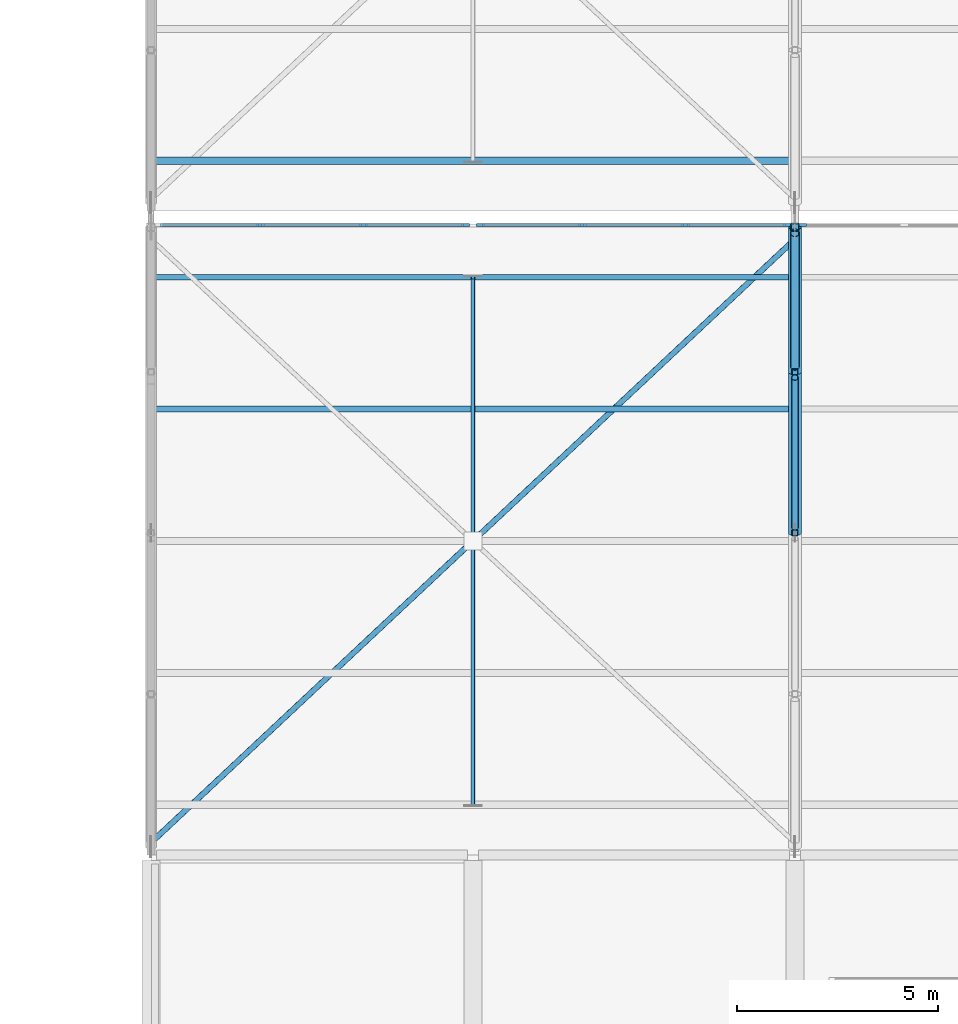
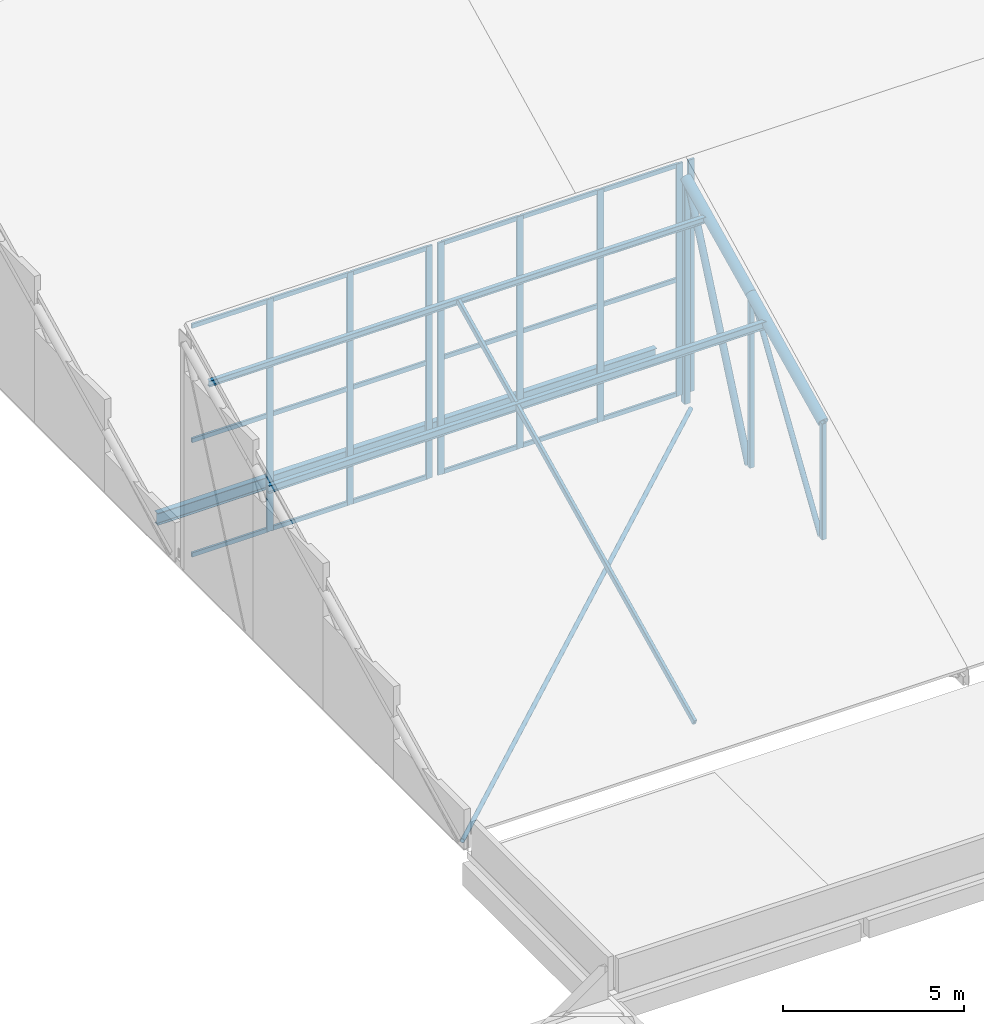
# One storey, part 42 of 137: 35 members, 3 beams, 3 elements without a shape of their own.
"""IFC4 building model written with IfcOpenShell, lengths in metres."""

from ifc_helpers import new_model, si_unit, direction, frame, origin, origin_2d, place, context, subcontext, project, spatial, rectangle, hollow_rectangle, hollow_circle, i_section, extrude, material, layer, layer_set, material_profile, profile_set, type_object, element, aggregate, save


model = new_model("IFC4")

# Units and contexts
model_context = context("Model", 3, precision=1e-05, world=origin(), true_north=direction((0.0, 1.0)))
body_context = subcontext(model_context, "Body", "Model", "MODEL_VIEW")
ifc_project = project(units=[si_unit("LENGTHUNIT", "METRE"), si_unit("AREAUNIT", "SQUARE_METRE"), si_unit("VOLUMEUNIT", "CUBIC_METRE"), si_unit("PLANEANGLEUNIT", "RADIAN"), si_unit("MASSUNIT", "GRAM", prefix="KILO")], contexts=[model_context])

# Site, building, storey
site_placement = place(None, origin())
site = spatial("IfcSite", under=ifc_project, at=site_placement, CompositionType="ELEMENT")
building_placement = place(site_placement, origin())
building = spatial("IfcBuilding", under=site, at=building_placement, Name="Jelvoka-Kovrelna Polytechnic", CompositionType="ELEMENT")
storey_placement = place(building_placement, frame((0.0, 0.0, 9.60009765625)))
storey = spatial("IfcBuildingStorey", under=building, at=storey_placement, Name="L03", CompositionType="ELEMENT", Elevation=9.60009765625)

# Members
ifc_material_1 = material(Name="Structural steel S355J2H", Category="steel")
ifc_material_profile_1 = material_profile(ifc_material_1, hollow_circle(Radius=0.06982421875, WallThickness=0.00634765625, at=origin_2d()), Name="139.7x6.3 CHS")
ifc_profile_set_1 = profile_set([ifc_material_profile_1], Name="Structural steel S355J2H")
member_type_1 = type_object("IfcMemberType", Name="Member_Brace_CHS140", PredefinedType="BRACE", material=ifc_profile_set_1)
member_1_placement = place(storey_placement, frame((88.050048828125, 88.35009765625, 0.14990234375), z_axis=(0.72968044266, 0.683788309055, 0.0), x_axis=(-0.683788309055, 0.72968044266, 0.0)))
element("IfcMember", 1, at=member_1_placement, inside=storey, type_object=member_type_1, Name="Sawtooth roof continuous X-brace 0202", PredefinedType="BRACE", context=body_context, shape_type="SweptSolid", body=[
    extrude(hollow_circle(Radius=0.06982421875, WallThickness=0.00634765625, at=origin_2d()), origin(), (0.0, 0.0, 1.0), 21.790283203125),
])
ifc_material_2 = material(Name="Structural steel S355J2H", Category="steel")
ifc_material_profile_2 = material_profile(ifc_material_2, hollow_circle(Radius=0.084228515625, WallThickness=0.008056640625, at=origin_2d()), Name="168.3x8.0 CHS")
ifc_profile_set_2 = profile_set([ifc_material_profile_2], Name="Structural steel S355J2H")
member_type_2 = type_object("IfcMemberType", Name="Member_Brace_CHS168", PredefinedType="BRACE", material=ifc_profile_set_2)
member_2_placement = place(storey_placement, frame((104.0, 96.139892578125, 0.14990234375), z_axis=(0.0, 0.5415746521, 0.840652660855), x_axis=(-1.0, 0.0, 0.0)))
element("IfcMember", 2, at=member_2_placement, inside=storey, type_object=member_type_2, Name="Sawtooth truss 2 diagonal web 1.3", PredefinedType="BRACE", context=body_context, shape_type="SweptSolid", body=[
    extrude(hollow_circle(Radius=0.084228515625, WallThickness=0.008056640625, at=origin_2d()), origin(), (0.0, 0.0, 1.0), 6.869140625),
])
ifc_material_3 = material(Name="Structural steel S355J2H", Category="steel")
ifc_material_profile_3 = material_profile(ifc_material_3, hollow_circle(Radius=0.109619140625, WallThickness=0.008056640625, at=origin_2d()), Name="219.1x8.0 CHS")
ifc_profile_set_3 = profile_set([ifc_material_profile_3], Name="Structural steel S355J2H")
member_type_3 = type_object("IfcMemberType", Name="Member_Brace_CHS219", PredefinedType="BRACE", material=ifc_profile_set_3)
member_3_placement = place(storey_placement, frame((104.0, 100.139892578125, 0.14990234375), z_axis=(0.0, 0.404336237521, 0.914610412705), x_axis=(-1.0, 0.0, 0.0)))
element("IfcMember", 3, at=member_3_placement, inside=storey, type_object=member_type_3, Name="Sawtooth truss 2 diagonal web 1.4", PredefinedType="BRACE", context=body_context, shape_type="SweptSolid", body=[
    extrude(hollow_circle(Radius=0.109619140625, WallThickness=0.008056640625, at=origin_2d()), origin(), (0.0, 0.0, 1.0), 8.211181640625),
])
ifc_material_4 = material(Name="Structural steel S355J2H", Category="steel")
ifc_material_profile_4 = material_profile(ifc_material_4, hollow_circle(Radius=0.161865234375, WallThickness=0.010009765625, at=origin_2d()), Name="323.9x10.0 CHS")
ifc_profile_set_4 = profile_set([ifc_material_profile_4], Name="Structural steel S355J2H")
member_type_4 = type_object("IfcMemberType", Name="Member_Chord_CHS324", PredefinedType="CHORD", material=ifc_profile_set_4)
member_4_placement = place(storey_placement, frame((104.0, 96.0, 4.076416015625), z_axis=(0.0, 0.900820911068, 0.434190840741), x_axis=(-1.0, 0.0, 0.0)))
element("IfcMember", 4, at=member_4_placement, inside=storey, type_object=member_type_4, Name="Sawtooth truss 2 top chord 1.3", PredefinedType="CHORD", context=body_context, shape_type="SweptSolid", body=[
    extrude(hollow_circle(Radius=0.161865234375, WallThickness=0.010009765625, at=origin_2d()), origin(), (0.0, 0.0, 1.0), 4.4404296875),
])
member_5_placement = place(storey_placement, frame((104.0, 100.0, 6.00439453125), z_axis=(0.0, 0.900784896778, 0.434265552095), x_axis=(-1.0, 0.0, 0.0)))
element("IfcMember", 5, at=member_5_placement, inside=storey, type_object=member_type_4, Name="Sawtooth truss 2 top chord 1.4", PredefinedType="CHORD", context=body_context, shape_type="SweptSolid", body=[
    extrude(hollow_circle(Radius=0.161865234375, WallThickness=0.010009765625, at=origin_2d()), origin(), (0.0, 0.0, 1.0), 3.99658203125),
])
ifc_material_5 = material(Name="Structural steel S355J2H", Category="steel")
ifc_material_profile_5 = material_profile(ifc_material_5, hollow_rectangle(XDim=0.14990234375, YDim=0.14990234375, WallThickness=0.008056640625, InnerFilletRadius=0.008056640625, OuterFilletRadius=0.011962890625, at=origin_2d()), Name="150x150x8.0 SHS")
ifc_profile_set_5 = profile_set([ifc_material_profile_5], Name="Structural steel S355J2H")
member_type_5 = type_object("IfcMemberType", Name="Member_Post_SHS150", PredefinedType="POST", material=ifc_profile_set_5)
member_6_placement = place(storey_placement, frame((104.0, 96.0, 0.14990234375), z_axis=(0.0, 0.0, 1.0), x_axis=(1.0, 0.0, 0.0)))
element("IfcMember", 6, at=member_6_placement, inside=storey, type_object=member_type_5, Name="Sawtooth truss 2 web post 1.3", PredefinedType="POST", context=body_context, shape_type="SweptSolid", body=[
    extrude(hollow_rectangle(XDim=0.14990234375, YDim=0.14990234375, WallThickness=0.008056640625, InnerFilletRadius=0.008056640625, OuterFilletRadius=0.011962890625, at=origin_2d()), origin(), (0.0, 0.0, 1.0), 3.926513671875),
])
member_7_placement = place(storey_placement, frame((104.0, 100.0, 0.14990234375), z_axis=(0.0, 0.0, 1.0), x_axis=(1.0, 0.0, 0.0)))
element("IfcMember", 7, at=member_7_placement, inside=storey, type_object=member_type_5, Name="Sawtooth truss 2 web post 1.4", PredefinedType="POST", context=body_context, shape_type="SweptSolid", body=[
    extrude(hollow_rectangle(XDim=0.14990234375, YDim=0.14990234375, WallThickness=0.008056640625, InnerFilletRadius=0.008056640625, OuterFilletRadius=0.011962890625, at=origin_2d()), origin(), (0.0, 0.0, 1.0), 5.8544921875),
])
ifc_material_6 = material(Name="Structural steel S355J2H", Category="steel")
ifc_material_profile_6 = material_profile(ifc_material_6, hollow_rectangle(XDim=0.199951171875, YDim=0.199951171875, WallThickness=0.010009765625, InnerFilletRadius=0.010009765625, OuterFilletRadius=0.014892578125, at=origin_2d()), Name="200x200x10.0 SHS")
ifc_profile_set_6 = profile_set([ifc_material_profile_6], Name="Structural steel S355J2H")
member_type_6 = type_object("IfcMemberType", Name="Member_Post_SHS200", PredefinedType="POST", material=ifc_profile_set_6)
member_8_placement = place(storey_placement, frame((104.0, 103.60009765625, 0.14990234375), z_axis=(0.0, 0.0, 1.0), x_axis=(1.0, 0.0, 0.0)))
element("IfcMember", 8, at=member_8_placement, inside=storey, type_object=member_type_6, Name="Sawtooth truss 2 web post 1.5", PredefinedType="POST", context=body_context, shape_type="SweptSolid", body=[
    extrude(hollow_rectangle(XDim=0.199951171875, YDim=0.199951171875, WallThickness=0.010009765625, InnerFilletRadius=0.010009765625, OuterFilletRadius=0.014892578125, at=origin_2d()), origin(), (0.0, 0.0, 1.0), 7.590087890625),
])
ifc_material_7 = material(Name="Structural steel S355J2H", Category="steel")
ifc_material_profile_7 = material_profile(ifc_material_7, hollow_rectangle(XDim=0.10009765625, YDim=0.199951171875, WallThickness=0.008056640625, InnerFilletRadius=0.008056640625, OuterFilletRadius=0.011962890625, at=origin_2d()), Name="200x100x8.0 RHS")
ifc_profile_set_7 = profile_set([ifc_material_profile_7], Name="Structural steel S355J2H")
member_type_7 = type_object("IfcMemberType", Name="Member_Rafter_RHS200", PredefinedType="RAFTER", material=ifc_profile_set_7)
member_9_placement = place(storey_placement, frame((96.0, 89.248046875, 0.821533203125), z_axis=(0.0, 0.900805023058, 0.434223802243), x_axis=(-1.0, 0.0, 0.0)))
element("IfcMember", 9, at=member_9_placement, inside=storey, type_object=member_type_7, Name="Sawtooth mid-bay secondary rafter 1.1", PredefinedType="RAFTER", context=body_context, shape_type="SweptSolid", body=[
    extrude(hollow_rectangle(XDim=0.10009765625, YDim=0.199951171875, WallThickness=0.008056640625, InnerFilletRadius=0.008056640625, OuterFilletRadius=0.011962890625, at=origin_2d()), origin(), (0.0, 0.0, 1.0), 14.546875),
])

# Curtain wall, members
ifc_material_8 = material(Name="Anodised aluminium 6063-T6", Category="aluminium")
ifc_layer = layer(ifc_material_8, 0.199951171875)
ifc_layer_set = layer_set([ifc_layer], Name="Anodised aluminium 6063-T6")
curtain_wall_type = type_object("IfcCurtainWallType", Name="CW_Clerestory", PredefinedType="NOTDEFINED", material=ifc_layer_set)
curtain_wall_1_placement = place(storey_placement, origin())
curtain_wall_1 = element("IfcCurtainWall", 10, at=curtain_wall_1_placement, inside=storey, type_object=curtain_wall_type, Name="L03 glazed curtain wall 183", PredefinedType="NOTDEFINED")
ifc_material_9 = material(Name="Anodised aluminium 6063-T6", Category="aluminium")
ifc_material_profile_8 = material_profile(ifc_material_9, rectangle(XDim=0.070068359375, YDim=0.199951171875, at=origin_2d()), Name="ALU 70x200")
ifc_profile_set_8 = profile_set([ifc_material_profile_8], Name="Anodised aluminium 6063-T6")
member_type_8 = type_object("IfcMemberType", Name="Mullion_M-03", PredefinedType="MULLION", material=ifc_profile_set_8)
member_10_placement = place(storey_placement, frame((90.716552734375, 103.64990234375, 0.425048828125), z_axis=(0.0, 0.0, 1.0), x_axis=(0.0, 1.0, 0.0)))
member_10 = element("IfcMember", 11, at=member_10_placement, type_object=member_type_8, Name="CW-03 mullion 2", PredefinedType="MULLION", context=body_context, shape_type="SweptSolid", body=[
    extrude(rectangle(XDim=0.070068359375, YDim=0.199951171875, at=origin_2d()), origin(), (0.0, 0.0, 1.0), 7.85009765625),
])
member_11_placement = place(storey_placement, frame((93.283447265625, 103.64990234375, 0.425048828125), z_axis=(0.0, 0.0, 1.0), x_axis=(0.0, 1.0, 0.0)))
member_11 = element("IfcMember", 12, at=member_11_placement, type_object=member_type_8, Name="CW-03 mullion 3", PredefinedType="MULLION", context=body_context, shape_type="SweptSolid", body=[
    extrude(rectangle(XDim=0.070068359375, YDim=0.199951171875, at=origin_2d()), origin(), (0.0, 0.0, 1.0), 7.85009765625),
])
member_12_placement = place(storey_placement, frame((95.81494140625, 103.64990234375, 0.425048828125), z_axis=(0.0, 0.0, 1.0), x_axis=(0.0, 1.0, 0.0)))
member_12 = element("IfcMember", 13, at=member_12_placement, type_object=member_type_8, Name="CW-03 mullion 4", PredefinedType="MULLION", context=body_context, shape_type="SweptSolid", body=[
    extrude(rectangle(XDim=0.070068359375, YDim=0.199951171875, at=origin_2d()), origin(), (0.0, 0.0, 1.0), 7.85009765625),
])

curtain_wall_2_placement = place(storey_placement, origin())
curtain_wall_2 = element("IfcCurtainWall", 14, at=curtain_wall_2_placement, inside=storey, type_object=curtain_wall_type, Name="L03 glazed curtain wall 185", PredefinedType="NOTDEFINED")
member_13_placement = place(storey_placement, frame((96.18505859375, 103.64990234375, 0.425048828125), z_axis=(0.0, 0.0, 1.0), x_axis=(0.0, 1.0, 0.0)))
member_13 = element("IfcMember", 15, at=member_13_placement, type_object=member_type_8, Name="CW-03 mullion 1", PredefinedType="MULLION", context=body_context, shape_type="SweptSolid", body=[
    extrude(rectangle(XDim=0.070068359375, YDim=0.199951171875, at=origin_2d()), origin(), (0.0, 0.0, 1.0), 7.85009765625),
])
member_14_placement = place(storey_placement, frame((98.716552734375, 103.64990234375, 0.425048828125), z_axis=(0.0, 0.0, 1.0), x_axis=(0.0, 1.0, 0.0)))
member_14 = element("IfcMember", 16, at=member_14_placement, type_object=member_type_8, Name="CW-03 mullion 2", PredefinedType="MULLION", context=body_context, shape_type="SweptSolid", body=[
    extrude(rectangle(XDim=0.070068359375, YDim=0.199951171875, at=origin_2d()), origin(), (0.0, 0.0, 1.0), 7.85009765625),
])
member_15_placement = place(storey_placement, frame((101.283447265625, 103.64990234375, 0.425048828125), z_axis=(0.0, 0.0, 1.0), x_axis=(0.0, 1.0, 0.0)))
member_15 = element("IfcMember", 17, at=member_15_placement, type_object=member_type_8, Name="CW-03 mullion 3", PredefinedType="MULLION", context=body_context, shape_type="SweptSolid", body=[
    extrude(rectangle(XDim=0.070068359375, YDim=0.199951171875, at=origin_2d()), origin(), (0.0, 0.0, 1.0), 7.85009765625),
])
member_16_placement = place(storey_placement, frame((103.81494140625, 103.64990234375, 0.425048828125), z_axis=(0.0, 0.0, 1.0), x_axis=(0.0, 1.0, 0.0)))
member_16 = element("IfcMember", 18, at=member_16_placement, type_object=member_type_8, Name="CW-03 mullion 4", PredefinedType="MULLION", context=body_context, shape_type="SweptSolid", body=[
    extrude(rectangle(XDim=0.070068359375, YDim=0.199951171875, at=origin_2d()), origin(), (0.0, 0.0, 1.0), 7.85009765625),
])

# Curtain wall, member
curtain_wall_3_placement = place(storey_placement, origin())
curtain_wall_3 = element("IfcCurtainWall", 19, at=curtain_wall_3_placement, inside=storey, type_object=curtain_wall_type, Name="L03 glazed curtain wall 187", PredefinedType="NOTDEFINED")
member_17_placement = place(storey_placement, frame((104.18505859375, 103.64990234375, 0.425048828125), z_axis=(0.0, 0.0, 1.0), x_axis=(0.0, 1.0, 0.0)))
member_17 = element("IfcMember", 20, at=member_17_placement, type_object=member_type_8, Name="CW-03 mullion 1", PredefinedType="MULLION", context=body_context, shape_type="SweptSolid", body=[
    extrude(rectangle(XDim=0.070068359375, YDim=0.199951171875, at=origin_2d()), origin(), (0.0, 0.0, 1.0), 7.85009765625),
])
aggregate(curtain_wall_3, [member_17])

# Beams
ifc_material_10 = material(Name="Structural steel S355JR", Category="steel")
ifc_material_profile_9 = material_profile(ifc_material_10, i_section(OverallWidth=0.13330078125, OverallDepth=0.203125, WebThickness=0.005615234375, FlangeThickness=0.0078125, FilletRadius=0.007568359375, at=origin_2d()), Name="203x133x25 UB")
ifc_profile_set_9 = profile_set([ifc_material_profile_9], Name="Structural steel S355JR")
beam_type_1 = type_object("IfcBeamType", Name="Purlin_Steel_UB203", PredefinedType="JOIST", material=ifc_profile_set_9)
beam_1_placement = place(storey_placement, frame((88.02001953125, 102.35205078125, 7.13818359375), z_axis=(1.0, 0.0, 0.0), x_axis=(0.0, 1.0, 0.0)))
element("IfcBeam", 21, at=beam_1_placement, inside=storey, type_object=beam_type_1, Name="Sawtooth roof purlin 005", PredefinedType="JOIST", context=body_context, shape_type="SweptSolid", body=[
    extrude(i_section(OverallWidth=0.13330078125, OverallDepth=0.203125, WebThickness=0.005615234375, FlangeThickness=0.0078125, FilletRadius=0.007568359375, at=origin_2d()), origin(), (0.0, 0.0, 1.0), 15.9599609375),
])
ifc_material_11 = material(Name="Structural steel S355JR", Category="steel")
ifc_material_profile_10 = material_profile(ifc_material_11, i_section(OverallWidth=0.14599609375, OverallDepth=0.25146484375, WebThickness=0.006103515625, FlangeThickness=0.008544921875, FilletRadius=0.007568359375, at=origin_2d()), Name="254x146x31 UB")
ifc_profile_set_10 = profile_set([ifc_material_profile_10], Name="Structural steel S355JR")
beam_type_2 = type_object("IfcBeamType", Name="Purlin_Steel_UB254", PredefinedType="JOIST", material=ifc_profile_set_10)
beam_2_placement = place(storey_placement, frame((88.02001953125, 99.075927734375, 5.55908203125), z_axis=(1.0, 0.0, 0.0), x_axis=(0.0, 1.0, 0.0)))
element("IfcBeam", 22, at=beam_2_placement, inside=storey, type_object=beam_type_2, Name="Sawtooth roof purlin 004", PredefinedType="JOIST", context=body_context, shape_type="SweptSolid", body=[
    extrude(i_section(OverallWidth=0.14599609375, OverallDepth=0.25146484375, WebThickness=0.006103515625, FlangeThickness=0.008544921875, FilletRadius=0.007568359375, at=origin_2d()), origin(), (0.0, 0.0, 1.0), 15.9599609375),
])
ifc_material_12 = material(Name="Structural steel S355JR", Category="steel")
ifc_material_profile_11 = material_profile(ifc_material_12, i_section(OverallWidth=0.177978515625, OverallDepth=0.406494140625, WebThickness=0.0078125, FlangeThickness=0.0126953125, FilletRadius=0.01025390625, at=origin_2d()), Name="406x178x60 UB")
ifc_profile_set_11 = profile_set([ifc_material_profile_11], Name="Structural steel S355JR")
beam_type_3 = type_object("IfcBeamType", Name="Purlin_Steel_UB406", PredefinedType="JOIST", material=ifc_profile_set_11)
beam_3_placement = place(storey_placement, frame((88.02001953125, 105.248046875, 0.821533203125), z_axis=(1.0, 0.0, 0.0), x_axis=(0.0, 1.0, 0.0)))
element("IfcBeam", 23, at=beam_3_placement, inside=storey, type_object=beam_type_3, Name="Sawtooth roof purlin 006", PredefinedType="JOIST", context=body_context, shape_type="SweptSolid", body=[
    extrude(i_section(OverallWidth=0.177978515625, OverallDepth=0.406494140625, WebThickness=0.0078125, FlangeThickness=0.0126953125, FilletRadius=0.01025390625, at=origin_2d()), origin(), (0.0, 0.0, 1.0), 15.9599609375),
])

# Member
ifc_material_13 = material(Name="Anodised aluminium 6063-T6", Category="aluminium")
ifc_material_profile_12 = material_profile(ifc_material_13, rectangle(XDim=0.070068359375, YDim=0.14501953125, at=origin_2d()), Name="ALU 70x145")
ifc_profile_set_12 = profile_set([ifc_material_profile_12], Name="Anodised aluminium 6063-T6")
member_type_9 = type_object("IfcMemberType", Name="Transom_T-03", PredefinedType="USERDEFINED", material=ifc_profile_set_12)
member_18_placement = place(storey_placement, frame((88.219970703125, 103.64990234375, 0.48486328125), z_axis=(1.0, 0.0, 0.0), x_axis=(0.0, 1.0, 0.0)))
member_18 = element("IfcMember", 24, at=member_18_placement, type_object=member_type_9, Name="CW-03 transom 1.1", ObjectType="TRANSOM", PredefinedType="USERDEFINED", context=body_context, shape_type="SweptSolid", body=[
    extrude(rectangle(XDim=0.070068359375, YDim=0.14501953125, at=origin_2d()), origin(), (0.0, 0.0, 1.0), 2.461669921875),
])

member_19_placement = place(storey_placement, frame((88.219970703125, 103.64990234375, 4.349853515625), z_axis=(1.0, 0.0, 0.0), x_axis=(0.0, 1.0, 0.0)))
member_19 = element("IfcMember", 25, at=member_19_placement, type_object=member_type_9, Name="CW-03 transom 1.2", ObjectType="TRANSOM", PredefinedType="USERDEFINED", context=body_context, shape_type="SweptSolid", body=[
    extrude(rectangle(XDim=0.070068359375, YDim=0.14501953125, at=origin_2d()), origin(), (0.0, 0.0, 1.0), 2.461669921875),
])

member_20_placement = place(storey_placement, frame((88.219970703125, 103.64990234375, 8.21484375), z_axis=(1.0, 0.0, 0.0), x_axis=(0.0, 1.0, 0.0)))
member_20 = element("IfcMember", 26, at=member_20_placement, type_object=member_type_9, Name="CW-03 transom 1.3", ObjectType="TRANSOM", PredefinedType="USERDEFINED", context=body_context, shape_type="SweptSolid", body=[
    extrude(rectangle(XDim=0.070068359375, YDim=0.14501953125, at=origin_2d()), origin(), (0.0, 0.0, 1.0), 2.461669921875),
])

member_21_placement = place(storey_placement, frame((90.751708984375, 103.64990234375, 0.48486328125), z_axis=(1.0, 0.0, 0.0), x_axis=(0.0, 1.0, 0.0)))
member_21 = element("IfcMember", 27, at=member_21_placement, type_object=member_type_9, Name="CW-03 transom 2.1", ObjectType="TRANSOM", PredefinedType="USERDEFINED", context=body_context, shape_type="SweptSolid", body=[
    extrude(rectangle(XDim=0.070068359375, YDim=0.14501953125, at=origin_2d()), origin(), (0.0, 0.0, 1.0), 2.49658203125),
])

member_22_placement = place(storey_placement, frame((90.751708984375, 103.64990234375, 4.349853515625), z_axis=(1.0, 0.0, 0.0), x_axis=(0.0, 1.0, 0.0)))
member_22 = element("IfcMember", 28, at=member_22_placement, type_object=member_type_9, Name="CW-03 transom 2.2", ObjectType="TRANSOM", PredefinedType="USERDEFINED", context=body_context, shape_type="SweptSolid", body=[
    extrude(rectangle(XDim=0.070068359375, YDim=0.14501953125, at=origin_2d()), origin(), (0.0, 0.0, 1.0), 2.49658203125),
])

member_23_placement = place(storey_placement, frame((90.751708984375, 103.64990234375, 8.21484375), z_axis=(1.0, 0.0, 0.0), x_axis=(0.0, 1.0, 0.0)))
member_23 = element("IfcMember", 29, at=member_23_placement, type_object=member_type_9, Name="CW-03 transom 2.3", ObjectType="TRANSOM", PredefinedType="USERDEFINED", context=body_context, shape_type="SweptSolid", body=[
    extrude(rectangle(XDim=0.070068359375, YDim=0.14501953125, at=origin_2d()), origin(), (0.0, 0.0, 1.0), 2.49658203125),
])

member_24_placement = place(storey_placement, frame((93.318359375, 103.64990234375, 0.48486328125), z_axis=(1.0, 0.0, 0.0), x_axis=(0.0, 1.0, 0.0)))
member_24 = element("IfcMember", 30, at=member_24_placement, type_object=member_type_9, Name="CW-03 transom 3.1", ObjectType="TRANSOM", PredefinedType="USERDEFINED", context=body_context, shape_type="SweptSolid", body=[
    extrude(rectangle(XDim=0.070068359375, YDim=0.14501953125, at=origin_2d()), origin(), (0.0, 0.0, 1.0), 2.461669921875),
])

member_25_placement = place(storey_placement, frame((93.318359375, 103.64990234375, 4.349853515625), z_axis=(1.0, 0.0, 0.0), x_axis=(0.0, 1.0, 0.0)))
member_25 = element("IfcMember", 31, at=member_25_placement, type_object=member_type_9, Name="CW-03 transom 3.2", ObjectType="TRANSOM", PredefinedType="USERDEFINED", context=body_context, shape_type="SweptSolid", body=[
    extrude(rectangle(XDim=0.070068359375, YDim=0.14501953125, at=origin_2d()), origin(), (0.0, 0.0, 1.0), 2.461669921875),
])

member_26_placement = place(storey_placement, frame((93.318359375, 103.64990234375, 8.21484375), z_axis=(1.0, 0.0, 0.0), x_axis=(0.0, 1.0, 0.0)))
member_26 = element("IfcMember", 32, at=member_26_placement, type_object=member_type_9, Name="CW-03 transom 3.3", ObjectType="TRANSOM", PredefinedType="USERDEFINED", context=body_context, shape_type="SweptSolid", body=[
    extrude(rectangle(XDim=0.070068359375, YDim=0.14501953125, at=origin_2d()), origin(), (0.0, 0.0, 1.0), 2.461669921875),
])

aggregate(curtain_wall_1, [member_10, member_11, member_12, member_18, member_19, member_20, member_21, member_22, member_23, member_24, member_25, member_26])

member_27_placement = place(storey_placement, frame((96.219970703125, 103.64990234375, 0.48486328125), z_axis=(1.0, 0.0, 0.0), x_axis=(0.0, 1.0, 0.0)))
member_27 = element("IfcMember", 33, at=member_27_placement, type_object=member_type_9, Name="CW-03 transom 1.1", ObjectType="TRANSOM", PredefinedType="USERDEFINED", context=body_context, shape_type="SweptSolid", body=[
    extrude(rectangle(XDim=0.070068359375, YDim=0.14501953125, at=origin_2d()), origin(), (0.0, 0.0, 1.0), 2.461669921875),
])

member_28_placement = place(storey_placement, frame((96.219970703125, 103.64990234375, 4.349853515625), z_axis=(1.0, 0.0, 0.0), x_axis=(0.0, 1.0, 0.0)))
member_28 = element("IfcMember", 34, at=member_28_placement, type_object=member_type_9, Name="CW-03 transom 1.2", ObjectType="TRANSOM", PredefinedType="USERDEFINED", context=body_context, shape_type="SweptSolid", body=[
    extrude(rectangle(XDim=0.070068359375, YDim=0.14501953125, at=origin_2d()), origin(), (0.0, 0.0, 1.0), 2.461669921875),
])

member_29_placement = place(storey_placement, frame((96.219970703125, 103.64990234375, 8.21484375), z_axis=(1.0, 0.0, 0.0), x_axis=(0.0, 1.0, 0.0)))
member_29 = element("IfcMember", 35, at=member_29_placement, type_object=member_type_9, Name="CW-03 transom 1.3", ObjectType="TRANSOM", PredefinedType="USERDEFINED", context=body_context, shape_type="SweptSolid", body=[
    extrude(rectangle(XDim=0.070068359375, YDim=0.14501953125, at=origin_2d()), origin(), (0.0, 0.0, 1.0), 2.461669921875),
])

member_30_placement = place(storey_placement, frame((98.751708984375, 103.64990234375, 0.48486328125), z_axis=(1.0, 0.0, 0.0), x_axis=(0.0, 1.0, 0.0)))
member_30 = element("IfcMember", 36, at=member_30_placement, type_object=member_type_9, Name="CW-03 transom 2.1", ObjectType="TRANSOM", PredefinedType="USERDEFINED", context=body_context, shape_type="SweptSolid", body=[
    extrude(rectangle(XDim=0.070068359375, YDim=0.14501953125, at=origin_2d()), origin(), (0.0, 0.0, 1.0), 2.49658203125),
])

member_31_placement = place(storey_placement, frame((98.751708984375, 103.64990234375, 4.349853515625), z_axis=(1.0, 0.0, 0.0), x_axis=(0.0, 1.0, 0.0)))
member_31 = element("IfcMember", 37, at=member_31_placement, type_object=member_type_9, Name="CW-03 transom 2.2", ObjectType="TRANSOM", PredefinedType="USERDEFINED", context=body_context, shape_type="SweptSolid", body=[
    extrude(rectangle(XDim=0.070068359375, YDim=0.14501953125, at=origin_2d()), origin(), (0.0, 0.0, 1.0), 2.49658203125),
])

member_32_placement = place(storey_placement, frame((98.751708984375, 103.64990234375, 8.21484375), z_axis=(1.0, 0.0, 0.0), x_axis=(0.0, 1.0, 0.0)))
member_32 = element("IfcMember", 38, at=member_32_placement, type_object=member_type_9, Name="CW-03 transom 2.3", ObjectType="TRANSOM", PredefinedType="USERDEFINED", context=body_context, shape_type="SweptSolid", body=[
    extrude(rectangle(XDim=0.070068359375, YDim=0.14501953125, at=origin_2d()), origin(), (0.0, 0.0, 1.0), 2.49658203125),
])

member_33_placement = place(storey_placement, frame((101.318359375, 103.64990234375, 0.48486328125), z_axis=(1.0, 0.0, 0.0), x_axis=(0.0, 1.0, 0.0)))
member_33 = element("IfcMember", 39, at=member_33_placement, type_object=member_type_9, Name="CW-03 transom 3.1", ObjectType="TRANSOM", PredefinedType="USERDEFINED", context=body_context, shape_type="SweptSolid", body=[
    extrude(rectangle(XDim=0.070068359375, YDim=0.14501953125, at=origin_2d()), origin(), (0.0, 0.0, 1.0), 2.461669921875),
])

member_34_placement = place(storey_placement, frame((101.318359375, 103.64990234375, 4.349853515625), z_axis=(1.0, 0.0, 0.0), x_axis=(0.0, 1.0, 0.0)))
member_34 = element("IfcMember", 40, at=member_34_placement, type_object=member_type_9, Name="CW-03 transom 3.2", ObjectType="TRANSOM", PredefinedType="USERDEFINED", context=body_context, shape_type="SweptSolid", body=[
    extrude(rectangle(XDim=0.070068359375, YDim=0.14501953125, at=origin_2d()), origin(), (0.0, 0.0, 1.0), 2.461669921875),
])

member_35_placement = place(storey_placement, frame((101.318359375, 103.64990234375, 8.21484375), z_axis=(1.0, 0.0, 0.0), x_axis=(0.0, 1.0, 0.0)))
member_35 = element("IfcMember", 41, at=member_35_placement, type_object=member_type_9, Name="CW-03 transom 3.3", ObjectType="TRANSOM", PredefinedType="USERDEFINED", context=body_context, shape_type="SweptSolid", body=[
    extrude(rectangle(XDim=0.070068359375, YDim=0.14501953125, at=origin_2d()), origin(), (0.0, 0.0, 1.0), 2.461669921875),
])

aggregate(curtain_wall_2, [member_13, member_14, member_15, member_16, member_27, member_28, member_29, member_30, member_31, member_32, member_33, member_34, member_35])

save(model, "model.ifc")
